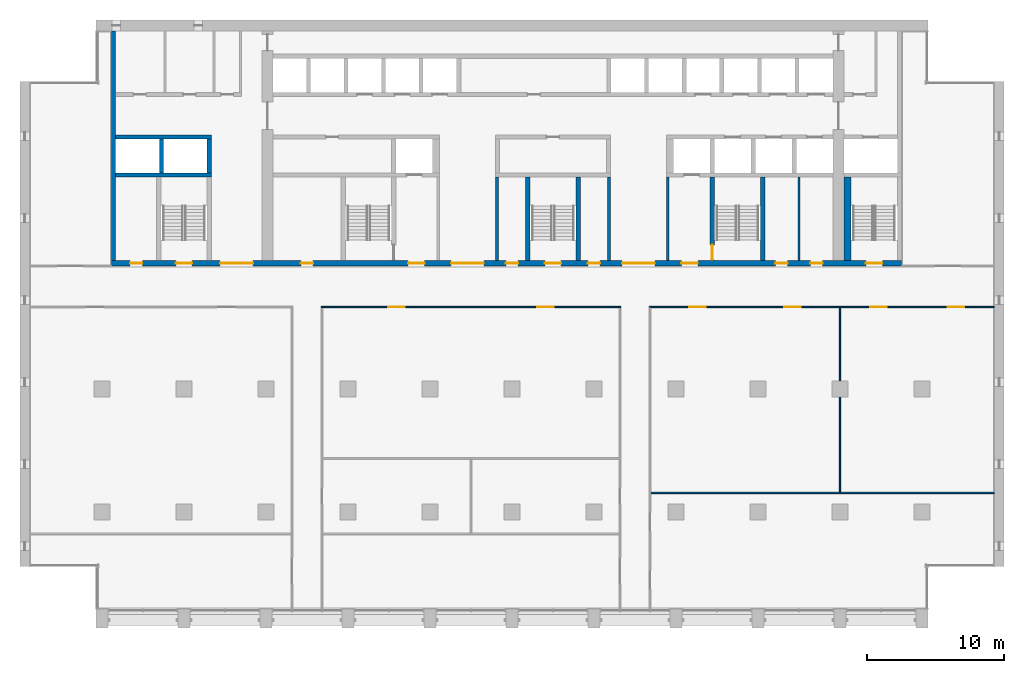
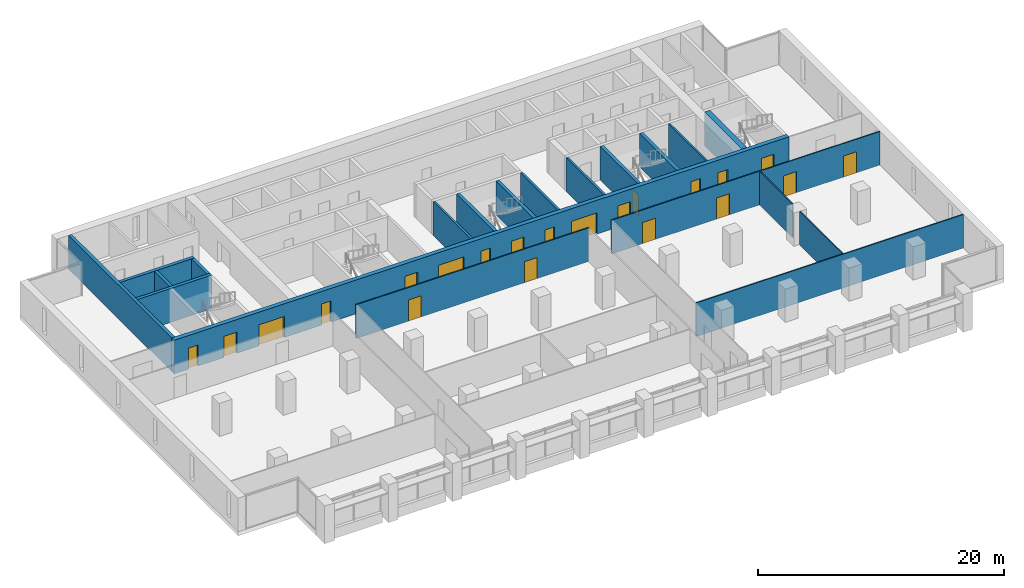
# One storey, part 9 of 15: 21 doors, 20 walls, 21 openings.
"""IFC4 building model written with IfcOpenShell, lengths in metres."""

from ifc_helpers import new_model, si_unit, direction, frame, frame_2d, origin, place, context, subcontext, project, spatial, rectangle, extrude, material, layer, layer_set, type_object, element, fill, save


model = new_model("IFC4")

# Units and contexts
model_context = context("Model", 3, precision=1e-05, world=origin(), true_north=direction((0.0, 1.0)))
body_context = subcontext(model_context, "Body", "Model", "MODEL_VIEW")
ifc_project = project(units=[si_unit("LENGTHUNIT", "METRE"), si_unit("AREAUNIT", "SQUARE_METRE"), si_unit("VOLUMEUNIT", "CUBIC_METRE"), si_unit("PLANEANGLEUNIT", "RADIAN"), si_unit("MASSUNIT", "GRAM", prefix="KILO")], contexts=[model_context])

# Site, building, storey
site_placement = place(None, origin())
site = spatial("IfcSite", under=ifc_project, at=site_placement, CompositionType="ELEMENT")
building_placement = place(site_placement, origin())
building = spatial("IfcBuilding", under=site, at=building_placement, Name="Calvaro Tower", CompositionType="ELEMENT")
storey_placement = place(building_placement, frame((0.0, 0.0, 147.5)))
storey = spatial("IfcBuildingStorey", under=building, at=storey_placement, Name="L37", CompositionType="ELEMENT", Elevation=147.5)

# Walls
ifc_material_1 = material(Name="Blockwork partition", Category="masonry")
ifc_layer_1 = layer(ifc_material_1, 0.14990234375)
ifc_layer_set_1 = layer_set([ifc_layer_1], Name="Blockwork partition")
wall_type_1 = type_object("IfcWallType", Name="Core partition 150 EI 60", PredefinedType="PARTITIONING", material=ifc_layer_set_1)
wall_1_placement = place(storey_placement, frame((57.0, 28.39990234375, 0.0), z_axis=(0.0, 0.0, 1.0), x_axis=(0.0, 1.0, 0.0)))
element("IfcWall", 1, at=wall_1_placement, inside=storey, type_object=wall_type_1, Name="Core partition", PredefinedType="PARTITIONING", context=body_context, shape_type="SweptSolid", body=[
    extrude(rectangle(XDim=6.10009765625, YDim=0.14990234375, at=frame_2d((3.050048828125, 0.0))), origin(), (0.0, 0.0, 1.0), 3.35009765625),
])
ifc_material_2 = material(Name="Blockwork partition", Category="masonry")
ifc_layer_2 = layer(ifc_material_2, 0.199951171875)
ifc_layer_set_2 = layer_set([ifc_layer_2], Name="Blockwork partition")
wall_type_2 = type_object("IfcWallType", Name="Core partition 200 REI 120", PredefinedType="PARTITIONING", material=ifc_layer_set_2)
for number, where, z_axis, x_axis, name in (
    (2, (34.89990234375, 28.39990234375, 0.0), (0.0, 0.0, 1.0), (0.0, 1.0, 0.0), "Core partition"),
    (3, (43.10009765625, 28.39990234375, 0.0), (0.0, 0.0, 1.0), (0.0, 1.0, 0.0), "Core partition"),
    (4, (47.39990234375, 28.39990234375, 0.0), (0.0, 0.0, 1.0), (0.0, 1.0, 0.0), "Core partition"),
):
    element("IfcWall", number, at=place(storey_placement, frame(where, z_axis=z_axis, x_axis=x_axis)), inside=storey, type_object=wall_type_2, Name=name, PredefinedType="PARTITIONING", context=body_context, shape_type="SweptSolid", body=[
        extrude(rectangle(XDim=6.10009765625, YDim=0.199951171875, at=frame_2d((3.050048828125, 0.0))), origin(), (0.0, 0.0, 1.0), 3.35009765625),
    ])
ifc_material_3 = material(Name="Concrete C60/75", Category="concrete")
ifc_layer_3 = layer(ifc_material_3, 0.300048828125)
ifc_layer_set_3 = layer_set([ifc_layer_3], Name="Concrete C60/75")
wall_type_3 = type_object("IfcWallType", Name="Core wall C60/75 300", PredefinedType="SHEAR", material=ifc_layer_set_3)
wall_2_placement = place(storey_placement, frame((6.85009765625, 28.39990234375, 0.0), z_axis=(0.0, 0.0, 1.0), x_axis=(0.0, 1.0, 0.0)))
element("IfcWall", 5, at=wall_2_placement, inside=storey, type_object=wall_type_3, Name="Core wall, boundary", PredefinedType="SHEAR", context=body_context, shape_type="SweptSolid", body=[
    extrude(rectangle(XDim=16.800048828125, YDim=0.300048828125, at=frame_2d((8.39990234375, 0.0))), origin(), (0.0, 0.0, 1.0), 3.35009765625),
])
for number, where, z_axis, x_axis, name in (
    (6, (37.14990234375, 28.39990234375, 0.0), (0.0, 0.0, 1.0), (0.0, 1.0, 0.0), "Core wall, stair enclosure"),
    (7, (40.85009765625, 28.39990234375, 0.0), (0.0, 0.0, 1.0), (0.0, 1.0, 0.0), "Core wall, stair enclosure"),
):
    element("IfcWall", number, at=place(storey_placement, frame(where, z_axis=z_axis, x_axis=x_axis)), inside=storey, type_object=wall_type_3, Name=name, PredefinedType="SHEAR", context=body_context, shape_type="SweptSolid", body=[
        extrude(rectangle(XDim=6.10009765625, YDim=0.300048828125, at=frame_2d((3.050048828125, 0.0))), origin(), (0.0, 0.0, 1.0), 3.35009765625),
    ])

# Wall, opening, door
wall_3_placement = place(storey_placement, frame((50.64990234375, 34.5, 0.0), z_axis=(0.0, 0.0, 1.0), x_axis=(0.0, -1.0, 0.0)))
wall_3 = element("IfcWall", 8, at=wall_3_placement, inside=storey, type_object=wall_type_3, Name="Core wall, stair enclosure", PredefinedType="SHEAR", context=body_context, shape_type="SweptSolid", body=[
    extrude(rectangle(XDim=6.10009765625, YDim=0.300048828125, at=frame_2d((3.050048828125, 0.0))), origin(), (0.0, 0.0, 1.0), 3.35009765625),
])
opening_1_placement = place(wall_3_placement, frame((4.949951171875, 0.0, 0.0)))
opening_1 = element("IfcOpeningElement", 9, at=opening_1_placement, cuts=wall_3, Name="Opening FD11D", PredefinedType="OPENING", context=body_context, shape_type="SweptSolid", body=[
    extrude(rectangle(XDim=1.10009765625, YDim=2.10009765625, at=frame_2d((0.550048828125, 1.050048828125))), frame((0.0, 0.159912109375, 0.0), z_axis=(0.0, -1.0, 0.0), x_axis=(1.0, 0.0, 0.0)), (0.0, 0.0, 1.0), 0.320068359375),
])
ifc_material_4 = material(Name="Steel door set", Category="steel")
door_type_1 = type_object("IfcDoorType", Name="Fire door 1100 FD30S", OperationType="SINGLE_SWING_LEFT", PredefinedType="DOOR", material=ifc_material_4)
door_1_placement = place(opening_1_placement, origin())
door_1 = element("IfcDoor", 10, at=door_1_placement, inside=storey, type_object=door_type_1, Name="Fire door", OperationType="SINGLE_SWING_RIGHT", OverallHeight=2.10009765625, OverallWidth=1.10009765625, PredefinedType="DOOR", context=body_context, shape_type="SweptSolid", body=[
    extrude(rectangle(XDim=1.10009765625, YDim=2.10009765625, at=frame_2d((0.550048828125, 1.050048828125))), frame((0.0, 0.02490234375, 0.0), z_axis=(0.0, -1.0, 0.0), x_axis=(1.0, 0.0, 0.0)), (0.0, 0.0, 1.0), 0.050048828125),
])
fill(opening_1, door_1)

# Walls
wall_4_placement = place(storey_placement, frame((54.35009765625, 28.39990234375, 0.0), z_axis=(0.0, 0.0, 1.0), x_axis=(0.0, 1.0, 0.0)))
element("IfcWall", 11, at=wall_4_placement, inside=storey, type_object=wall_type_3, Name="Core wall, stair enclosure", PredefinedType="SHEAR", context=body_context, shape_type="SweptSolid", body=[
    extrude(rectangle(XDim=6.10009765625, YDim=0.300048828125, at=frame_2d((3.050048828125, 0.0))), origin(), (0.0, 0.0, 1.0), 3.35009765625),
])
for number, where, z_axis, x_axis, name in (
    (12, (7.0, 34.64990234375, 0.0), (0.0, 0.0, 1.0), (1.0, 0.0, 0.0), "Core wall, lift shaft"),
    (13, (7.0, 37.449951171875, 0.0), (0.0, 0.0, 1.0), (1.0, 0.0, 0.0), "Core wall, lift shaft"),
):
    element("IfcWall", number, at=place(storey_placement, frame(where, z_axis=z_axis, x_axis=x_axis)), inside=storey, type_object=wall_type_3, Name=name, PredefinedType="SHEAR", context=body_context, shape_type="SweptSolid", body=[
        extrude(rectangle(XDim=7.0, YDim=0.300048828125, at=frame_2d((3.5, 0.0))), origin(), (0.0, 0.0, 1.0), 3.35009765625),
    ])
for number, where, z_axis, x_axis, name in (
    (14, (13.85009765625, 34.800048828125, 0.0), (0.0, 0.0, 1.0), (0.0, 1.0, 0.0), "Core wall, lift shaft"),
    (15, (10.35009765625, 34.800048828125, 0.0), (0.0, 0.0, 1.0), (0.0, 1.0, 0.0), "Core wall, lift shaft"),
):
    element("IfcWall", number, at=place(storey_placement, frame(where, z_axis=z_axis, x_axis=x_axis)), inside=storey, type_object=wall_type_3, Name=name, PredefinedType="SHEAR", context=body_context, shape_type="SweptSolid", body=[
        extrude(rectangle(XDim=2.5, YDim=0.300048828125, at=frame_2d((1.25, 0.0))), origin(), (0.0, 0.0, 1.0), 3.35009765625),
    ])

# Wall, openings, doors
ifc_material_5 = material(Name="Concrete C60/75", Category="concrete")
ifc_layer_4 = layer(ifc_material_5, 0.39990234375)
ifc_layer_set_4 = layer_set([ifc_layer_4], Name="Concrete C60/75")
wall_type_4 = type_object("IfcWallType", Name="Core wall C60/75 400", PredefinedType="SHEAR", material=ifc_layer_set_4)
wall_5_placement = place(storey_placement, frame((6.699951171875, 28.199951171875, 0.0), z_axis=(0.0, 0.0, 1.0), x_axis=(1.0, 0.0, 0.0)))
wall_5 = element("IfcWall", 16, at=wall_5_placement, inside=storey, type_object=wall_type_4, Name="Core wall, front", PredefinedType="SHEAR", context=body_context, shape_type="SweptSolid", body=[
    extrude(rectangle(XDim=57.800048828125, YDim=0.39990234375, at=frame_2d((28.89990234375, 0.0))), origin(), (0.0, 0.0, 1.0), 3.35009765625),
])
opening_2_placement = place(wall_5_placement, frame((13.85009765625, 0.0, 0.0)))
opening_2 = element("IfcOpeningElement", 17, at=opening_2_placement, cuts=wall_5, Name="Opening RD9E", PredefinedType="OPENING", context=body_context, shape_type="SweptSolid", body=[
    extrude(rectangle(XDim=0.89990234375, YDim=2.10009765625, at=frame_2d((0.449951171875, 1.050048828125))), frame((0.0, 0.2099609375, 0.0), z_axis=(0.0, -1.0, 0.0), x_axis=(1.0, 0.0, 0.0)), (0.0, 0.0, 1.0), 0.419921875),
])
opening_3_placement = place(wall_5_placement, frame((48.5625, 0.0, 0.0)))
opening_3 = element("IfcOpeningElement", 18, at=opening_3_placement, cuts=wall_5, Name="Opening RD9C", PredefinedType="OPENING", context=body_context, shape_type="SweptSolid", body=[
    extrude(rectangle(XDim=0.89990234375, YDim=2.10009765625, at=frame_2d((0.449951171875, 1.050048828125))), frame((0.0, 0.2099609375, 0.0), z_axis=(0.0, -1.0, 0.0), x_axis=(1.0, 0.0, 0.0)), (0.0, 0.0, 1.0), 0.419921875),
])
opening_4_placement = place(wall_5_placement, frame((51.137451171875, 0.0, 0.0)))
opening_4 = element("IfcOpeningElement", 19, at=opening_4_placement, cuts=wall_5, Name="Opening RD9C", PredefinedType="OPENING", context=body_context, shape_type="SweptSolid", body=[
    extrude(rectangle(XDim=0.89990234375, YDim=2.10009765625, at=frame_2d((0.449951171875, 1.050048828125))), frame((0.0, 0.2099609375, 0.0), z_axis=(0.0, -1.0, 0.0), x_axis=(1.0, 0.0, 0.0)), (0.0, 0.0, 1.0), 0.419921875),
])
opening_5_placement = place(wall_5_placement, frame((1.35009765625, 0.0, 0.0)))
opening_5 = element("IfcOpeningElement", 20, at=opening_5_placement, cuts=wall_5, Name="Opening RD9C", PredefinedType="OPENING", context=body_context, shape_type="SweptSolid", body=[
    extrude(rectangle(XDim=0.89990234375, YDim=2.10009765625, at=frame_2d((0.449951171875, 1.050048828125))), frame((0.0, 0.2099609375, 0.0), z_axis=(0.0, -1.0, 0.0), x_axis=(1.0, 0.0, 0.0)), (0.0, 0.0, 1.0), 0.419921875),
])
opening_6_placement = place(wall_5_placement, frame((4.699951171875, 0.0, 0.0)))
opening_6 = element("IfcOpeningElement", 21, at=opening_6_placement, cuts=wall_5, Name="Opening SD12D", PredefinedType="OPENING", context=body_context, shape_type="SweptSolid", body=[
    extrude(rectangle(XDim=1.199951171875, YDim=2.10009765625, at=frame_2d((0.60009765625, 1.050048828125))), frame((0.0, 0.2099609375, 0.0), z_axis=(0.0, -1.0, 0.0), x_axis=(1.0, 0.0, 0.0)), (0.0, 0.0, 1.0), 0.419921875),
])
opening_7_placement = place(wall_5_placement, frame((31.699951171875, 0.0, 0.0)))
opening_7 = element("IfcOpeningElement", 22, at=opening_7_placement, cuts=wall_5, Name="Opening SD12D", PredefinedType="OPENING", context=body_context, shape_type="SweptSolid", body=[
    extrude(rectangle(XDim=1.199951171875, YDim=2.10009765625, at=frame_2d((0.60009765625, 1.050048828125))), frame((0.0, 0.2099609375, 0.0), z_axis=(0.0, -1.0, 0.0), x_axis=(1.0, 0.0, 0.0)), (0.0, 0.0, 1.0), 0.419921875),
])
opening_8_placement = place(wall_5_placement, frame((55.199951171875, 0.0, 0.0)))
opening_8 = element("IfcOpeningElement", 23, at=opening_8_placement, cuts=wall_5, Name="Opening SD12D", PredefinedType="OPENING", context=body_context, shape_type="SweptSolid", body=[
    extrude(rectangle(XDim=1.199951171875, YDim=2.10009765625, at=frame_2d((0.60009765625, 1.050048828125))), frame((0.0, 0.2099609375, 0.0), z_axis=(0.0, -1.0, 0.0), x_axis=(1.0, 0.0, 0.0)), (0.0, 0.0, 1.0), 0.419921875),
])
opening_9_placement = place(wall_5_placement, frame((21.699951171875, 0.0, 0.0)))
opening_9 = element("IfcOpeningElement", 24, at=opening_9_placement, cuts=wall_5, Name="Opening FD12F", PredefinedType="OPENING", context=body_context, shape_type="SweptSolid", body=[
    extrude(rectangle(XDim=1.199951171875, YDim=2.10009765625, at=frame_2d((0.60009765625, 1.050048828125))), frame((0.0, 0.2099609375, 0.0), z_axis=(0.0, -1.0, 0.0), x_axis=(1.0, 0.0, 0.0)), (0.0, 0.0, 1.0), 0.419921875),
])
opening_10_placement = place(wall_5_placement, frame((41.699951171875, 0.0, 0.0)))
opening_10 = element("IfcOpeningElement", 25, at=opening_10_placement, cuts=wall_5, Name="Opening FD12F", PredefinedType="OPENING", context=body_context, shape_type="SweptSolid", body=[
    extrude(rectangle(XDim=1.199951171875, YDim=2.10009765625, at=frame_2d((0.60009765625, 1.050048828125))), frame((0.0, 0.2099609375, 0.0), z_axis=(0.0, -1.0, 0.0), x_axis=(1.0, 0.0, 0.0)), (0.0, 0.0, 1.0), 0.419921875),
])
opening_11_placement = place(wall_5_placement, frame((24.85009765625, 0.0, 0.0)))
opening_11 = element("IfcOpeningElement", 26, at=opening_11_placement, cuts=wall_5, Name="Opening DD24D", PredefinedType="OPENING", context=body_context, shape_type="SweptSolid", body=[
    extrude(rectangle(XDim=2.39990234375, YDim=2.10009765625, at=frame_2d((1.199951171875, 1.050048828125))), frame((0.0, 0.2099609375, 0.0), z_axis=(0.0, -1.0, 0.0), x_axis=(1.0, 0.0, 0.0)), (0.0, 0.0, 1.0), 0.419921875),
])
opening_12_placement = place(wall_5_placement, frame((37.35009765625, 0.0, 0.0)))
opening_12 = element("IfcOpeningElement", 27, at=opening_12_placement, cuts=wall_5, Name="Opening DD24D", PredefinedType="OPENING", context=body_context, shape_type="SweptSolid", body=[
    extrude(rectangle(XDim=2.39990234375, YDim=2.10009765625, at=frame_2d((1.199951171875, 1.050048828125))), frame((0.0, 0.2099609375, 0.0), z_axis=(0.0, -1.0, 0.0), x_axis=(1.0, 0.0, 0.0)), (0.0, 0.0, 1.0), 0.419921875),
])
opening_13_placement = place(wall_5_placement, frame((7.949951171875, 0.0, 0.0)))
opening_13 = element("IfcOpeningElement", 28, at=opening_13_placement, cuts=wall_5, Name="Opening DD24D", PredefinedType="OPENING", context=body_context, shape_type="SweptSolid", body=[
    extrude(rectangle(XDim=2.39990234375, YDim=2.10009765625, at=frame_2d((1.199951171875, 1.050048828125))), frame((0.0, 0.2099609375, 0.0), z_axis=(0.0, -1.0, 0.0), x_axis=(1.0, 0.0, 0.0)), (0.0, 0.0, 1.0), 0.419921875),
])
opening_14_placement = place(wall_5_placement, frame((28.85009765625, 0.0, 0.0)))
opening_14 = element("IfcOpeningElement", 29, at=opening_14_placement, cuts=wall_5, Name="Opening RD9E", PredefinedType="OPENING", context=body_context, shape_type="SweptSolid", body=[
    extrude(rectangle(XDim=0.89990234375, YDim=2.10009765625, at=frame_2d((0.449951171875, 1.050048828125))), frame((0.0, 0.2099609375, 0.0), z_axis=(0.0, -1.0, 0.0), x_axis=(1.0, 0.0, 0.0)), (0.0, 0.0, 1.0), 0.419921875),
])
opening_15_placement = place(wall_5_placement, frame((34.85009765625, 0.0, 0.0)))
opening_15 = element("IfcOpeningElement", 30, at=opening_15_placement, cuts=wall_5, Name="Opening RD9E", PredefinedType="OPENING", context=body_context, shape_type="SweptSolid", body=[
    extrude(rectangle(XDim=0.89990234375, YDim=2.10009765625, at=frame_2d((0.449951171875, 1.050048828125))), frame((0.0, 0.2099609375, 0.0), z_axis=(0.0, -1.0, 0.0), x_axis=(1.0, 0.0, 0.0)), (0.0, 0.0, 1.0), 0.419921875),
])
ifc_material_6 = material(Name="Steel door set", Category="steel")
door_type_2 = type_object("IfcDoorType", Name="Fire door 1200 FD60S", OperationType="SINGLE_SWING_LEFT", PredefinedType="DOOR", material=ifc_material_6)
door_2_placement = place(opening_9_placement, origin())
door_2 = element("IfcDoor", 31, at=door_2_placement, inside=storey, type_object=door_type_2, Name="Fire door", OperationType="SINGLE_SWING_LEFT", OverallHeight=2.10009765625, OverallWidth=1.199951171875, PredefinedType="DOOR", context=body_context, shape_type="SweptSolid", body=[
    extrude(rectangle(XDim=1.199951171875, YDim=2.10009765625, at=frame_2d((0.60009765625, 1.050048828125))), frame((0.0, 0.02490234375, 0.0), z_axis=(0.0, -1.0, 0.0), x_axis=(1.0, 0.0, 0.0)), (0.0, 0.0, 1.0), 0.050048828125),
])
fill(opening_9, door_2)
door_3_placement = place(opening_10_placement, origin())
door_3 = element("IfcDoor", 32, at=door_3_placement, inside=storey, type_object=door_type_2, Name="Fire door", OperationType="SINGLE_SWING_LEFT", OverallHeight=2.10009765625, OverallWidth=1.199951171875, PredefinedType="DOOR", context=body_context, shape_type="SweptSolid", body=[
    extrude(rectangle(XDim=1.199951171875, YDim=2.10009765625, at=frame_2d((0.60009765625, 1.050048828125))), frame((0.0, 0.02490234375, 0.0), z_axis=(0.0, -1.0, 0.0), x_axis=(1.0, 0.0, 0.0)), (0.0, 0.0, 1.0), 0.050048828125),
])
fill(opening_10, door_3)
ifc_material_7 = material(Name="Steel door set", Category="steel")
door_type_3 = type_object("IfcDoorType", Name="Lobby double door 2400 FD30S", OperationType="DOUBLE_DOOR_SINGLE_SWING", PredefinedType="DOOR", material=ifc_material_7)
door_4_placement = place(opening_11_placement, origin())
door_4 = element("IfcDoor", 33, at=door_4_placement, inside=storey, type_object=door_type_3, Name="Lobby double door", OperationType="DOUBLE_DOOR_SINGLE_SWING", OverallHeight=2.10009765625, OverallWidth=2.39990234375, PredefinedType="DOOR", context=body_context, shape_type="SweptSolid", body=[
    extrude(rectangle(XDim=2.39990234375, YDim=2.10009765625, at=frame_2d((1.199951171875, 1.050048828125))), frame((0.0, 0.02490234375, 0.0), z_axis=(0.0, -1.0, 0.0), x_axis=(1.0, 0.0, 0.0)), (0.0, 0.0, 1.0), 0.050048828125),
])
fill(opening_11, door_4)
door_5_placement = place(opening_12_placement, origin())
door_5 = element("IfcDoor", 34, at=door_5_placement, inside=storey, type_object=door_type_3, Name="Lobby double door", OperationType="DOUBLE_DOOR_SINGLE_SWING", OverallHeight=2.10009765625, OverallWidth=2.39990234375, PredefinedType="DOOR", context=body_context, shape_type="SweptSolid", body=[
    extrude(rectangle(XDim=2.39990234375, YDim=2.10009765625, at=frame_2d((1.199951171875, 1.050048828125))), frame((0.0, 0.02490234375, 0.0), z_axis=(0.0, -1.0, 0.0), x_axis=(1.0, 0.0, 0.0)), (0.0, 0.0, 1.0), 0.050048828125),
])
fill(opening_12, door_5)
door_6_placement = place(opening_13_placement, origin())
door_6 = element("IfcDoor", 35, at=door_6_placement, inside=storey, type_object=door_type_3, Name="Lobby double door", OperationType="DOUBLE_DOOR_SINGLE_SWING", OverallHeight=2.10009765625, OverallWidth=2.39990234375, PredefinedType="DOOR", context=body_context, shape_type="SweptSolid", body=[
    extrude(rectangle(XDim=2.39990234375, YDim=2.10009765625, at=frame_2d((1.199951171875, 1.050048828125))), frame((0.0, 0.02490234375, 0.0), z_axis=(0.0, -1.0, 0.0), x_axis=(1.0, 0.0, 0.0)), (0.0, 0.0, 1.0), 0.050048828125),
])
fill(opening_13, door_6)
ifc_material_8 = material(Name="Steel door set", Category="steel")
door_type_4 = type_object("IfcDoorType", Name="Room door 900 FD30", OperationType="SINGLE_SWING_LEFT", PredefinedType="DOOR", material=ifc_material_8)
door_7_placement = place(opening_3_placement, origin())
door_7 = element("IfcDoor", 36, at=door_7_placement, inside=storey, type_object=door_type_4, Name="Room door", OperationType="SINGLE_SWING_LEFT", OverallHeight=2.10009765625, OverallWidth=0.89990234375, PredefinedType="DOOR", context=body_context, shape_type="SweptSolid", body=[
    extrude(rectangle(XDim=0.89990234375, YDim=2.10009765625, at=frame_2d((0.449951171875, 1.050048828125))), frame((0.0, 0.02490234375, 0.0), z_axis=(0.0, -1.0, 0.0), x_axis=(1.0, 0.0, 0.0)), (0.0, 0.0, 1.0), 0.050048828125),
])
fill(opening_3, door_7)
door_8_placement = place(opening_4_placement, origin())
door_8 = element("IfcDoor", 37, at=door_8_placement, inside=storey, type_object=door_type_4, Name="Room door", OperationType="SINGLE_SWING_LEFT", OverallHeight=2.10009765625, OverallWidth=0.89990234375, PredefinedType="DOOR", context=body_context, shape_type="SweptSolid", body=[
    extrude(rectangle(XDim=0.89990234375, YDim=2.10009765625, at=frame_2d((0.449951171875, 1.050048828125))), frame((0.0, 0.02490234375, 0.0), z_axis=(0.0, -1.0, 0.0), x_axis=(1.0, 0.0, 0.0)), (0.0, 0.0, 1.0), 0.050048828125),
])
fill(opening_4, door_8)
door_9_placement = place(opening_5_placement, origin())
door_9 = element("IfcDoor", 38, at=door_9_placement, inside=storey, type_object=door_type_4, Name="Room door", OperationType="SINGLE_SWING_LEFT", OverallHeight=2.10009765625, OverallWidth=0.89990234375, PredefinedType="DOOR", context=body_context, shape_type="SweptSolid", body=[
    extrude(rectangle(XDim=0.89990234375, YDim=2.10009765625, at=frame_2d((0.449951171875, 1.050048828125))), frame((0.0, 0.02490234375, 0.0), z_axis=(0.0, -1.0, 0.0), x_axis=(1.0, 0.0, 0.0)), (0.0, 0.0, 1.0), 0.050048828125),
])
fill(opening_5, door_9)
ifc_material_9 = material(Name="Steel door set", Category="steel")
door_type_5 = type_object("IfcDoorType", Name="Room door 900 FD60", OperationType="SINGLE_SWING_LEFT", PredefinedType="DOOR", material=ifc_material_9)
door_10_placement = place(opening_2_placement, origin())
door_10 = element("IfcDoor", 39, at=door_10_placement, inside=storey, type_object=door_type_5, Name="Room door", OperationType="SINGLE_SWING_LEFT", OverallHeight=2.10009765625, OverallWidth=0.89990234375, PredefinedType="DOOR", context=body_context, shape_type="SweptSolid", body=[
    extrude(rectangle(XDim=0.89990234375, YDim=2.10009765625, at=frame_2d((0.449951171875, 1.050048828125))), frame((0.0, 0.02490234375, 0.0), z_axis=(0.0, -1.0, 0.0), x_axis=(1.0, 0.0, 0.0)), (0.0, 0.0, 1.0), 0.050048828125),
])
fill(opening_2, door_10)
door_11_placement = place(opening_14_placement, origin())
door_11 = element("IfcDoor", 40, at=door_11_placement, inside=storey, type_object=door_type_5, Name="Room door", OperationType="SINGLE_SWING_LEFT", OverallHeight=2.10009765625, OverallWidth=0.89990234375, PredefinedType="DOOR", context=body_context, shape_type="SweptSolid", body=[
    extrude(rectangle(XDim=0.89990234375, YDim=2.10009765625, at=frame_2d((0.449951171875, 1.050048828125))), frame((0.0, 0.02490234375, 0.0), z_axis=(0.0, -1.0, 0.0), x_axis=(1.0, 0.0, 0.0)), (0.0, 0.0, 1.0), 0.050048828125),
])
fill(opening_14, door_11)
door_12_placement = place(opening_15_placement, origin())
door_12 = element("IfcDoor", 41, at=door_12_placement, inside=storey, type_object=door_type_5, Name="Room door", OperationType="SINGLE_SWING_LEFT", OverallHeight=2.10009765625, OverallWidth=0.89990234375, PredefinedType="DOOR", context=body_context, shape_type="SweptSolid", body=[
    extrude(rectangle(XDim=0.89990234375, YDim=2.10009765625, at=frame_2d((0.449951171875, 1.050048828125))), frame((0.0, 0.02490234375, 0.0), z_axis=(0.0, -1.0, 0.0), x_axis=(1.0, 0.0, 0.0)), (0.0, 0.0, 1.0), 0.050048828125),
])
fill(opening_15, door_12)
ifc_material_10 = material(Name="Steel door set", Category="steel")
door_type_6 = type_object("IfcDoorType", Name="Stair door 1200 FD30S", OperationType="SINGLE_SWING_LEFT", PredefinedType="DOOR", material=ifc_material_10)
door_13_placement = place(opening_6_placement, origin())
door_13 = element("IfcDoor", 42, at=door_13_placement, inside=storey, type_object=door_type_6, Name="Stair door", OperationType="SINGLE_SWING_LEFT", OverallHeight=2.10009765625, OverallWidth=1.199951171875, PredefinedType="DOOR", context=body_context, shape_type="SweptSolid", body=[
    extrude(rectangle(XDim=1.199951171875, YDim=2.10009765625, at=frame_2d((0.60009765625, 1.050048828125))), frame((0.0, 0.02490234375, 0.0), z_axis=(0.0, -1.0, 0.0), x_axis=(1.0, 0.0, 0.0)), (0.0, 0.0, 1.0), 0.050048828125),
])
fill(opening_6, door_13)
door_14_placement = place(opening_7_placement, origin())
door_14 = element("IfcDoor", 43, at=door_14_placement, inside=storey, type_object=door_type_6, Name="Stair door", OperationType="SINGLE_SWING_LEFT", OverallHeight=2.10009765625, OverallWidth=1.199951171875, PredefinedType="DOOR", context=body_context, shape_type="SweptSolid", body=[
    extrude(rectangle(XDim=1.199951171875, YDim=2.10009765625, at=frame_2d((0.60009765625, 1.050048828125))), frame((0.0, 0.02490234375, 0.0), z_axis=(0.0, -1.0, 0.0), x_axis=(1.0, 0.0, 0.0)), (0.0, 0.0, 1.0), 0.050048828125),
])
fill(opening_7, door_14)
door_15_placement = place(opening_8_placement, origin())
door_15 = element("IfcDoor", 44, at=door_15_placement, inside=storey, type_object=door_type_6, Name="Stair door", OperationType="SINGLE_SWING_LEFT", OverallHeight=2.10009765625, OverallWidth=1.199951171875, PredefinedType="DOOR", context=body_context, shape_type="SweptSolid", body=[
    extrude(rectangle(XDim=1.199951171875, YDim=2.10009765625, at=frame_2d((0.60009765625, 1.050048828125))), frame((0.0, 0.02490234375, 0.0), z_axis=(0.0, -1.0, 0.0), x_axis=(1.0, 0.0, 0.0)), (0.0, 0.0, 1.0), 0.050048828125),
])
fill(opening_8, door_15)

# Walls
ifc_material_11 = material(Name="Concrete C60/75", Category="concrete")
ifc_layer_5 = layer(ifc_material_11, 0.5)
ifc_layer_set_5 = layer_set([ifc_layer_5], Name="Concrete C60/75")
wall_type_5 = type_object("IfcWallType", Name="Core wall C60/75 500", PredefinedType="SHEAR", material=ifc_layer_set_5)
wall_6_placement = place(storey_placement, frame((60.550048828125, 28.39990234375, 0.0), z_axis=(0.0, 0.0, 1.0), x_axis=(0.0, 1.0, 0.0)))
element("IfcWall", 45, at=wall_6_placement, inside=storey, type_object=wall_type_5, Name="Core wall, stair enclosure", PredefinedType="SHEAR", context=body_context, shape_type="SweptSolid", body=[
    extrude(rectangle(XDim=6.10009765625, YDim=0.5, at=frame_2d((3.050048828125, 0.0))), origin(), (0.0, 0.0, 1.0), 3.35009765625),
])
ifc_material_12 = material(Name="Plasterboard on steel studs", Category="steel")
ifc_layer_6 = layer(ifc_material_12, 0.10009765625)
ifc_layer_set_6 = layer_set([ifc_layer_6], Name="Plasterboard on steel studs")
wall_type_6 = type_object("IfcWallType", Name="Partition 100", PredefinedType="PARTITIONING", material=ifc_layer_set_6)
wall_7_placement = place(storey_placement, frame((46.14990234375, 11.39990234375, 0.0), z_axis=(0.0, 0.0, 1.0), x_axis=(1.0, 0.0, 0.0)))
element("IfcWall", 46, at=wall_7_placement, inside=storey, type_object=wall_type_6, Name="Partition T22.W003", PredefinedType="PARTITIONING", context=body_context, shape_type="SweptSolid", body=[
    extrude(rectangle(XDim=25.150146484375, YDim=0.10009765625, at=frame_2d((12.5751953125, 0.0))), origin(), (0.0, 0.0, 1.0), 3.35009765625),
])

# Wall, openings, doors
wall_8_placement = place(storey_placement, frame((22.050048828125, 25.0, 0.0), z_axis=(0.0, 0.0, 1.0), x_axis=(1.0, 0.0, 0.0)))
wall_8 = element("IfcWall", 47, at=wall_8_placement, inside=storey, type_object=wall_type_6, Name="Partition T22.W006", PredefinedType="PARTITIONING", context=body_context, shape_type="SweptSolid", body=[
    extrude(rectangle(XDim=21.89990234375, YDim=0.10009765625, at=frame_2d((10.949951171875, 0.0))), origin(), (0.0, 0.0, 1.0), 3.35009765625),
])
opening_16_placement = place(wall_8_placement, frame((4.89990234375, 0.0, 0.0)))
opening_16 = element("IfcOpeningElement", 48, at=opening_16_placement, cuts=wall_8, Name="Opening T22.013", PredefinedType="OPENING", context=body_context, shape_type="SweptSolid", body=[
    extrude(rectangle(XDim=1.199951171875, YDim=2.10009765625, at=frame_2d((0.60009765625, 1.050048828125))), frame((0.0, 0.06005859375, 0.0), z_axis=(0.0, -1.0, 0.0), x_axis=(1.0, 0.0, 0.0)), (0.0, 0.0, 1.0), 0.1201171875),
])
opening_17_placement = place(wall_8_placement, frame((15.800048828125, 0.0, 0.0)))
opening_17 = element("IfcOpeningElement", 49, at=opening_17_placement, cuts=wall_8, Name="Opening T22.014", PredefinedType="OPENING", context=body_context, shape_type="SweptSolid", body=[
    extrude(rectangle(XDim=1.199951171875, YDim=2.10009765625, at=frame_2d((0.60009765625, 1.050048828125))), frame((0.0, 0.06005859375, 0.0), z_axis=(0.0, -1.0, 0.0), x_axis=(1.0, 0.0, 0.0)), (0.0, 0.0, 1.0), 0.1201171875),
])
ifc_material_13 = material(Name="Timber", Category="wood")
door_type_7 = type_object("IfcDoorType", Name="Internal single door 1200 x 2100", OperationType="SINGLE_SWING_LEFT", PredefinedType="DOOR", material=ifc_material_13)
door_16_placement = place(opening_16_placement, origin())
door_16 = element("IfcDoor", 50, at=door_16_placement, inside=storey, type_object=door_type_7, Name="Door T22.013", OperationType="SINGLE_SWING_LEFT", OverallHeight=2.10009765625, OverallWidth=1.199951171875, PredefinedType="DOOR", context=body_context, shape_type="SweptSolid", body=[
    extrude(rectangle(XDim=1.199951171875, YDim=2.10009765625, at=frame_2d((0.60009765625, 1.050048828125))), frame((0.0, 0.02490234375, 0.0), z_axis=(0.0, -1.0, 0.0), x_axis=(1.0, 0.0, 0.0)), (0.0, 0.0, 1.0), 0.050048828125),
])
fill(opening_16, door_16)
door_17_placement = place(opening_17_placement, origin())
door_17 = element("IfcDoor", 51, at=door_17_placement, inside=storey, type_object=door_type_7, Name="Door T22.014", OperationType="SINGLE_SWING_RIGHT", OverallHeight=2.10009765625, OverallWidth=1.199951171875, PredefinedType="DOOR", context=body_context, shape_type="SweptSolid", body=[
    extrude(rectangle(XDim=1.199951171875, YDim=2.10009765625, at=frame_2d((0.60009765625, 1.050048828125))), frame((0.0, 0.02490234375, 0.0), z_axis=(0.0, -1.0, 0.0), x_axis=(1.0, 0.0, 0.0)), (0.0, 0.0, 1.0), 0.050048828125),
])
fill(opening_17, door_17)

wall_9_placement = place(storey_placement, frame((46.050048828125, 25.0, 0.0), z_axis=(0.0, 0.0, 1.0), x_axis=(1.0, 0.0, 0.0)))
wall_9 = element("IfcWall", 52, at=wall_9_placement, inside=storey, type_object=wall_type_6, Name="Partition T22.W007", PredefinedType="PARTITIONING", context=body_context, shape_type="SweptSolid", body=[
    extrude(rectangle(XDim=25.25, YDim=0.10009765625, at=frame_2d((12.625, 0.0))), origin(), (0.0, 0.0, 1.0), 3.35009765625),
])
opening_18_placement = place(wall_9_placement, frame((2.925048828125, 0.0, 0.0)))
opening_18 = element("IfcOpeningElement", 53, at=opening_18_placement, cuts=wall_9, Name="Opening T22.009", PredefinedType="OPENING", context=body_context, shape_type="SweptSolid", body=[
    extrude(rectangle(XDim=1.199951171875, YDim=2.10009765625, at=frame_2d((0.60009765625, 1.050048828125))), frame((0.0, 0.06005859375, 0.0), z_axis=(0.0, -1.0, 0.0), x_axis=(1.0, 0.0, 0.0)), (0.0, 0.0, 1.0), 0.1201171875),
])
opening_19_placement = place(wall_9_placement, frame((9.875, 0.0, 0.0)))
opening_19 = element("IfcOpeningElement", 54, at=opening_19_placement, cuts=wall_9, Name="Opening T22.010", PredefinedType="OPENING", context=body_context, shape_type="SweptSolid", body=[
    extrude(rectangle(XDim=1.199951171875, YDim=2.10009765625, at=frame_2d((0.60009765625, 1.050048828125))), frame((0.0, 0.06005859375, 0.0), z_axis=(0.0, -1.0, 0.0), x_axis=(1.0, 0.0, 0.0)), (0.0, 0.0, 1.0), 0.1201171875),
])
opening_20_placement = place(wall_9_placement, frame((16.175048828125, 0.0, 0.0)))
opening_20 = element("IfcOpeningElement", 55, at=opening_20_placement, cuts=wall_9, Name="Opening T22.011", PredefinedType="OPENING", context=body_context, shape_type="SweptSolid", body=[
    extrude(rectangle(XDim=1.199951171875, YDim=2.10009765625, at=frame_2d((0.60009765625, 1.050048828125))), frame((0.0, 0.06005859375, 0.0), z_axis=(0.0, -1.0, 0.0), x_axis=(1.0, 0.0, 0.0)), (0.0, 0.0, 1.0), 0.1201171875),
])
opening_21_placement = place(wall_9_placement, frame((21.824951171875, 0.0, 0.0)))
opening_21 = element("IfcOpeningElement", 56, at=opening_21_placement, cuts=wall_9, Name="Opening T22.012", PredefinedType="OPENING", context=body_context, shape_type="SweptSolid", body=[
    extrude(rectangle(XDim=1.199951171875, YDim=2.10009765625, at=frame_2d((0.60009765625, 1.050048828125))), frame((0.0, 0.06005859375, 0.0), z_axis=(0.0, -1.0, 0.0), x_axis=(1.0, 0.0, 0.0)), (0.0, 0.0, 1.0), 0.1201171875),
])
door_18_placement = place(opening_18_placement, origin())
door_18 = element("IfcDoor", 57, at=door_18_placement, inside=storey, type_object=door_type_7, Name="Door T22.009", OperationType="SINGLE_SWING_LEFT", OverallHeight=2.10009765625, OverallWidth=1.199951171875, PredefinedType="DOOR", context=body_context, shape_type="SweptSolid", body=[
    extrude(rectangle(XDim=1.199951171875, YDim=2.10009765625, at=frame_2d((0.60009765625, 1.050048828125))), frame((0.0, 0.02490234375, 0.0), z_axis=(0.0, -1.0, 0.0), x_axis=(1.0, 0.0, 0.0)), (0.0, 0.0, 1.0), 0.050048828125),
])
fill(opening_18, door_18)
door_19_placement = place(opening_19_placement, origin())
door_19 = element("IfcDoor", 58, at=door_19_placement, inside=storey, type_object=door_type_7, Name="Door T22.010", OperationType="SINGLE_SWING_LEFT", OverallHeight=2.10009765625, OverallWidth=1.199951171875, PredefinedType="DOOR", context=body_context, shape_type="SweptSolid", body=[
    extrude(rectangle(XDim=1.199951171875, YDim=2.10009765625, at=frame_2d((0.60009765625, 1.050048828125))), frame((0.0, 0.02490234375, 0.0), z_axis=(0.0, -1.0, 0.0), x_axis=(1.0, 0.0, 0.0)), (0.0, 0.0, 1.0), 0.050048828125),
])
fill(opening_19, door_19)
door_20_placement = place(opening_20_placement, origin())
door_20 = element("IfcDoor", 59, at=door_20_placement, inside=storey, type_object=door_type_7, Name="Door T22.011", OperationType="SINGLE_SWING_RIGHT", OverallHeight=2.10009765625, OverallWidth=1.199951171875, PredefinedType="DOOR", context=body_context, shape_type="SweptSolid", body=[
    extrude(rectangle(XDim=1.199951171875, YDim=2.10009765625, at=frame_2d((0.60009765625, 1.050048828125))), frame((0.0, 0.02490234375, 0.0), z_axis=(0.0, -1.0, 0.0), x_axis=(1.0, 0.0, 0.0)), (0.0, 0.0, 1.0), 0.050048828125),
])
fill(opening_20, door_20)
door_21_placement = place(opening_21_placement, origin())
door_21 = element("IfcDoor", 60, at=door_21_placement, inside=storey, type_object=door_type_7, Name="Door T22.012", OperationType="SINGLE_SWING_RIGHT", OverallHeight=2.10009765625, OverallWidth=1.199951171875, PredefinedType="DOOR", context=body_context, shape_type="SweptSolid", body=[
    extrude(rectangle(XDim=1.199951171875, YDim=2.10009765625, at=frame_2d((0.60009765625, 1.050048828125))), frame((0.0, 0.02490234375, 0.0), z_axis=(0.0, -1.0, 0.0), x_axis=(1.0, 0.0, 0.0)), (0.0, 0.0, 1.0), 0.050048828125),
])
fill(opening_21, door_21)

# Walls
wall_10_placement = place(storey_placement, frame((60.0, 11.449951171875, 0.0), z_axis=(0.0, 0.0, 1.0), x_axis=(0.0, 1.0, 0.0)))
element("IfcWall", 61, at=wall_10_placement, inside=storey, type_object=wall_type_6, Name="Partition T22.W015", PredefinedType="PARTITIONING", context=body_context, shape_type="SweptSolid", body=[
    extrude(rectangle(XDim=6.949951171875, YDim=0.10009765625, at=frame_2d((3.47509765625, 0.0))), origin(), (0.0, 0.0, 1.0), 3.35009765625),
])
wall_11_placement = place(storey_placement, frame((60.0, 19.60009765625, 0.0), z_axis=(0.0, 0.0, 1.0), x_axis=(0.0, 1.0, 0.0)))
element("IfcWall", 62, at=wall_11_placement, inside=storey, type_object=wall_type_6, Name="Partition T22.W016", PredefinedType="PARTITIONING", context=body_context, shape_type="SweptSolid", body=[
    extrude(rectangle(XDim=5.349853515625, YDim=0.10009765625, at=frame_2d((2.6748046875, 0.0))), origin(), (0.0, 0.0, 1.0), 3.35009765625),
])

save(model, "model.ifc")
